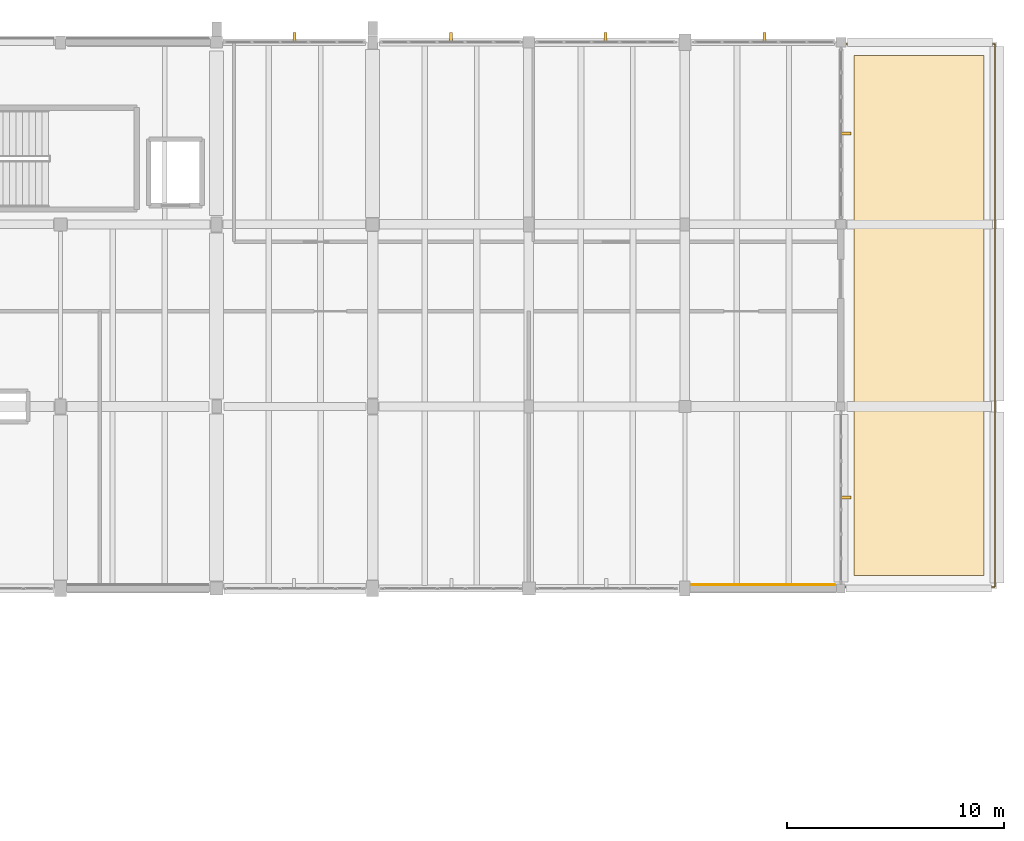
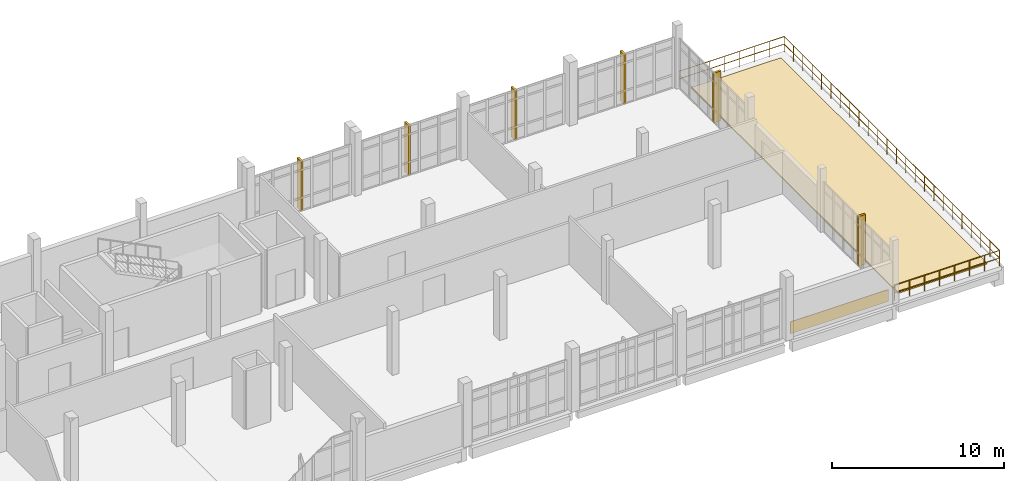
# One storey, part 62 of 62: 6 shading devices, 2 coverings, 1 railing.
"""IFC4 building model written with IfcOpenShell, lengths in metres."""

from ifc_helpers import new_model, si_unit, direction, frame, origin, origin_2d, place, context, subcontext, project, spatial, polyline, rectangle, circle, outline, extrude, material, layer, layer_set, type_object, element, save


model = new_model("IFC4")

# Units and contexts
model_context = context("Model", 3, precision=1e-05, world=origin(), true_north=direction((0.0, 1.0)))
body_context = subcontext(model_context, "Body", "Model", "MODEL_VIEW")
ifc_project = project(units=[si_unit("LENGTHUNIT", "METRE"), si_unit("AREAUNIT", "SQUARE_METRE"), si_unit("VOLUMEUNIT", "CUBIC_METRE"), si_unit("PLANEANGLEUNIT", "RADIAN"), si_unit("MASSUNIT", "GRAM", prefix="KILO")], contexts=[model_context])

# Site, building, storey
site_placement = place(None, origin())
site = spatial("IfcSite", under=ifc_project, at=site_placement, CompositionType="ELEMENT")
building_placement = place(site_placement, origin())
building = spatial("IfcBuilding", under=site, at=building_placement, Name="Kalluvel Institute of Natural Sciences", CompositionType="ELEMENT")
storey_placement = place(building_placement, frame((0.0, 0.0, 27.89990234375)))
storey = spatial("IfcBuildingStorey", under=building, at=storey_placement, Name="L06", CompositionType="ELEMENT", Elevation=27.89990234375)

# Coverings
ifc_material_1 = material(Name="Sadarahalli Grey Granite Ashlar Concrete M40", Category="masonry")
ifc_layer_1 = layer(ifc_material_1, 0.044921875)
ifc_layer_set_1 = layer_set([ifc_layer_1], Name="Sadarahalli Grey Granite Ashlar Concrete M40")
covering_type_1 = type_object("IfcCoveringType", Name="COV-CLAD-STONE", PredefinedType="CLADDING", material=ifc_layer_set_1)
covering_1_placement = place(storey_placement, frame((104.02490234375, 102.969970703125, 0.025146484375), z_axis=(0.0, 0.0, 1.0), x_axis=(1.0, 0.0, 0.0)))
element("IfcCovering", 1, at=covering_1_placement, inside=storey, type_object=covering_type_1, Name="L06 Sadarahalli granite plinth spandrel cladding 79", PredefinedType="CLADDING", context=body_context, shape_type="SweptSolid", body=[
    extrude(rectangle(XDim=6.590087890625, YDim=0.044921875, at=origin_2d()), origin(), (0.0, 0.0, 1.0), 0.85009765625),
])
ifc_material_2 = material(Name="Planted Sedum and Native Flora Green-Roof Build-Up", Category="earth")
ifc_layer_2 = layer(ifc_material_2, 0.090087890625)
ifc_layer_set_2 = layer_set([ifc_layer_2], Name="Planted Sedum and Native Flora Green-Roof Build-Up")
covering_type_2 = type_object("IfcCoveringType", Name="COV-TER-PLANTED", PredefinedType="ROOFING", material=ifc_layer_set_2)
covering_2_placement = place(storey_placement, origin())
element("IfcCovering", 2, at=covering_2_placement, inside=storey, type_object=covering_type_2, Name="L06 botanical planted terrace green-roof strip RM-L06-WET-PLANT", PredefinedType="ROOFING", context=body_context, shape_type="SweptSolid", body=[
    extrude(outline(polyline([(108.199951171875, 103.39990234375), (114.199951171875, 103.39990234375), (114.199951171875, 127.39990234375), (108.199951171875, 127.39990234375), (108.199951171875, 103.39990234375)])), origin(), (0.0, 0.0, 1.0), 0.090087890625),
])

# Railing
ifc_material_3 = material(Name="Steel E350 Grade 350", Category="steel")
railing_type = type_object("IfcRailingType", Name="RL-BAL-EXT", PredefinedType="BALUSTRADE", material=ifc_material_3)
railing_placement = place(storey_placement, frame((107.679931640625, 102.8798828125, 0.0)))
element("IfcRailing", 3, at=railing_placement, inside=storey, type_object=railing_type, Name="L06 Wet-Wing east terrace balustrade", PredefinedType="BALUSTRADE", context=body_context, shape_type="SweptSolid", body=[
    extrude(circle(Radius=0.02392578125, at=origin_2d()), frame((0.0, 0.0, 1.09619140625), z_axis=(1.0, 0.0, 0.0), x_axis=(0.0, 1.0, 0.0)), (0.0, 0.0, 1.0), 7.0400390625),
    extrude(circle(Radius=0.02392578125, at=origin_2d()), frame((0.0, 0.0, 0.56005859375), z_axis=(1.0, 0.0, 0.0), x_axis=(0.0, 1.0, 0.0)), (0.0, 0.0, 1.0), 7.0400390625),
    extrude(circle(Radius=0.02392578125, at=origin_2d()), frame((7.0400390625, 0.0, 1.09619140625), z_axis=(0.0, 1.0, 0.0), x_axis=(-1.0, 0.0, 0.0)), (0.0, 0.0, 1.0), 25.0400390625),
    extrude(circle(Radius=0.02392578125, at=origin_2d()), frame((7.0400390625, 0.0, 0.56005859375), z_axis=(0.0, 1.0, 0.0), x_axis=(-1.0, 0.0, 0.0)), (0.0, 0.0, 1.0), 25.0400390625),
    extrude(circle(Radius=0.02392578125, at=origin_2d()), frame((7.0400390625, 25.0400390625, 1.09619140625), z_axis=(-1.0, 0.0, 0.0), x_axis=(0.0, -1.0, 0.0)), (0.0, 0.0, 1.0), 7.0400390625),
    extrude(circle(Radius=0.02392578125, at=origin_2d()), frame((7.0400390625, 25.0400390625, 0.56005859375), z_axis=(-1.0, 0.0, 0.0), x_axis=(0.0, -1.0, 0.0)), (0.0, 0.0, 1.0), 7.0400390625),
    extrude(circle(Radius=0.02099609375, at=origin_2d()), origin(), (0.0, 0.0, 1.0), 1.072021484375),
    extrude(circle(Radius=0.02099609375, at=origin_2d()), frame((1.005615234375, 0.0, 0.0)), (0.0, 0.0, 1.0), 1.072021484375),
    extrude(circle(Radius=0.02099609375, at=origin_2d()), frame((2.011474609375, 0.0, 0.0)), (0.0, 0.0, 1.0), 1.072021484375),
    extrude(circle(Radius=0.02099609375, at=origin_2d()), frame((3.01708984375, 0.0, 0.0)), (0.0, 0.0, 1.0), 1.072021484375),
    extrude(circle(Radius=0.02099609375, at=origin_2d()), frame((4.02294921875, 0.0, 0.0)), (0.0, 0.0, 1.0), 1.072021484375),
    extrude(circle(Radius=0.02099609375, at=origin_2d()), frame((5.028564453125, 0.0, 0.0)), (0.0, 0.0, 1.0), 1.072021484375),
    extrude(circle(Radius=0.02099609375, at=origin_2d()), frame((6.034423828125, 0.0, 0.0)), (0.0, 0.0, 1.0), 1.072021484375),
    extrude(circle(Radius=0.02099609375, at=origin_2d()), frame((7.0400390625, 0.0, 0.0)), (0.0, 0.0, 1.0), 1.072021484375),
    extrude(circle(Radius=0.02099609375, at=origin_2d()), frame((7.0400390625, 1.088623046875, 0.0)), (0.0, 0.0, 1.0), 1.072021484375),
    extrude(circle(Radius=0.02099609375, at=origin_2d()), frame((7.0400390625, 2.177490234375, 0.0)), (0.0, 0.0, 1.0), 1.072021484375),
    extrude(circle(Radius=0.02099609375, at=origin_2d()), frame((7.0400390625, 3.26611328125, 0.0)), (0.0, 0.0, 1.0), 1.072021484375),
    extrude(circle(Radius=0.02099609375, at=origin_2d()), frame((7.0400390625, 4.354736328125, 0.0)), (0.0, 0.0, 1.0), 1.072021484375),
    extrude(circle(Radius=0.02099609375, at=origin_2d()), frame((7.0400390625, 5.443603515625, 0.0)), (0.0, 0.0, 1.0), 1.072021484375),
    extrude(circle(Radius=0.02099609375, at=origin_2d()), frame((7.0400390625, 6.5322265625, 0.0)), (0.0, 0.0, 1.0), 1.072021484375),
    extrude(circle(Radius=0.02099609375, at=origin_2d()), frame((7.0400390625, 7.620849609375, 0.0)), (0.0, 0.0, 1.0), 1.072021484375),
    extrude(circle(Radius=0.02099609375, at=origin_2d()), frame((7.0400390625, 8.70947265625, 0.0)), (0.0, 0.0, 1.0), 1.072021484375),
    extrude(circle(Radius=0.02099609375, at=origin_2d()), frame((7.0400390625, 9.79833984375, 0.0)), (0.0, 0.0, 1.0), 1.072021484375),
    extrude(circle(Radius=0.02099609375, at=origin_2d()), frame((7.0400390625, 10.886962890625, 0.0)), (0.0, 0.0, 1.0), 1.072021484375),
    extrude(circle(Radius=0.02099609375, at=origin_2d()), frame((7.0400390625, 11.9755859375, 0.0)), (0.0, 0.0, 1.0), 1.072021484375),
    extrude(circle(Radius=0.02099609375, at=origin_2d()), frame((7.0400390625, 13.064453125, 0.0)), (0.0, 0.0, 1.0), 1.072021484375),
    extrude(circle(Radius=0.02099609375, at=origin_2d()), frame((7.0400390625, 14.153076171875, 0.0)), (0.0, 0.0, 1.0), 1.072021484375),
    extrude(circle(Radius=0.02099609375, at=origin_2d()), frame((7.0400390625, 15.24169921875, 0.0)), (0.0, 0.0, 1.0), 1.072021484375),
    extrude(circle(Radius=0.02099609375, at=origin_2d()), frame((7.0400390625, 16.33056640625, 0.0)), (0.0, 0.0, 1.0), 1.072021484375),
    extrude(circle(Radius=0.02099609375, at=origin_2d()), frame((7.0400390625, 17.419189453125, 0.0)), (0.0, 0.0, 1.0), 1.072021484375),
    extrude(circle(Radius=0.02099609375, at=origin_2d()), frame((7.0400390625, 18.5078125, 0.0)), (0.0, 0.0, 1.0), 1.072021484375),
    extrude(circle(Radius=0.02099609375, at=origin_2d()), frame((7.0400390625, 19.596435546875, 0.0)), (0.0, 0.0, 1.0), 1.072021484375),
    extrude(circle(Radius=0.02099609375, at=origin_2d()), frame((7.0400390625, 20.685302734375, 0.0)), (0.0, 0.0, 1.0), 1.072021484375),
    extrude(circle(Radius=0.02099609375, at=origin_2d()), frame((7.0400390625, 21.77392578125, 0.0)), (0.0, 0.0, 1.0), 1.072021484375),
    extrude(circle(Radius=0.02099609375, at=origin_2d()), frame((7.0400390625, 22.862548828125, 0.0)), (0.0, 0.0, 1.0), 1.072021484375),
    extrude(circle(Radius=0.02099609375, at=origin_2d()), frame((7.0400390625, 23.951416015625, 0.0)), (0.0, 0.0, 1.0), 1.072021484375),
    extrude(circle(Radius=0.02099609375, at=origin_2d()), frame((7.0400390625, 25.0400390625, 0.0)), (0.0, 0.0, 1.0), 1.072021484375),
    extrude(circle(Radius=0.02099609375, at=origin_2d()), frame((6.034423828125, 25.0400390625, 0.0)), (0.0, 0.0, 1.0), 1.072021484375),
    extrude(circle(Radius=0.02099609375, at=origin_2d()), frame((5.028564453125, 25.0400390625, 0.0)), (0.0, 0.0, 1.0), 1.072021484375),
    extrude(circle(Radius=0.02099609375, at=origin_2d()), frame((4.02294921875, 25.0400390625, 0.0)), (0.0, 0.0, 1.0), 1.072021484375),
    extrude(circle(Radius=0.02099609375, at=origin_2d()), frame((3.01708984375, 25.0400390625, 0.0)), (0.0, 0.0, 1.0), 1.072021484375),
    extrude(circle(Radius=0.02099609375, at=origin_2d()), frame((2.011474609375, 25.0400390625, 0.0)), (0.0, 0.0, 1.0), 1.072021484375),
    extrude(circle(Radius=0.02099609375, at=origin_2d()), frame((1.005615234375, 25.0400390625, 0.0)), (0.0, 0.0, 1.0), 1.072021484375),
    extrude(circle(Radius=0.02099609375, at=origin_2d()), frame((0.0, 25.0400390625, 0.0)), (0.0, 0.0, 1.0), 1.072021484375),
])

# Shading devices
shading_device_type = type_object("IfcShadingDeviceType", Name="SHD-FIN-STONE", PredefinedType="USERDEFINED", material=ifc_material_1)
for number, where, z_axis, x_axis, name in (
    (4, (82.387451171875, 128.219970703125, 0.0), (0.0, 0.0, 1.0), (1.0, 0.0, 0.0), "L06 monsoon lancet shading fin 79"),
    (5, (89.612548828125, 128.219970703125, 0.0), (0.0, 0.0, 1.0), (1.0, 0.0, 0.0), "L06 monsoon lancet shading fin 80"),
    (6, (96.75, 128.219970703125, 0.0), (0.0, 0.0, 1.0), (1.0, 0.0, 0.0), "L06 monsoon lancet shading fin 81"),
    (7, (104.074951171875, 128.219970703125, 0.0), (0.0, 0.0, 1.0), (1.0, 0.0, 0.0), "L06 monsoon lancet shading fin 82"),
    (8, (107.820068359375, 107.0, 0.0), (0.0, 0.0, 1.0), (0.0, 1.0, 0.0), "L06 monsoon lancet shading fin 88"),
    (9, (107.820068359375, 123.800048828125, 0.0), (0.0, 0.0, 1.0), (0.0, 1.0, 0.0), "L06 monsoon lancet shading fin 89"),
):
    element("IfcShadingDevice", number, at=place(storey_placement, frame(where, z_axis=z_axis, x_axis=x_axis)), inside=storey, type_object=shading_device_type, Name=name, ObjectType="MONSOON FIN", PredefinedType="USERDEFINED", context=body_context, shape_type="SweptSolid", body=[
        extrude(rectangle(XDim=0.139892578125, YDim=0.47998046875, at=origin_2d()), origin(), (0.0, 0.0, 1.0), 3.530029296875),
    ])

save(model, "model.ifc")
